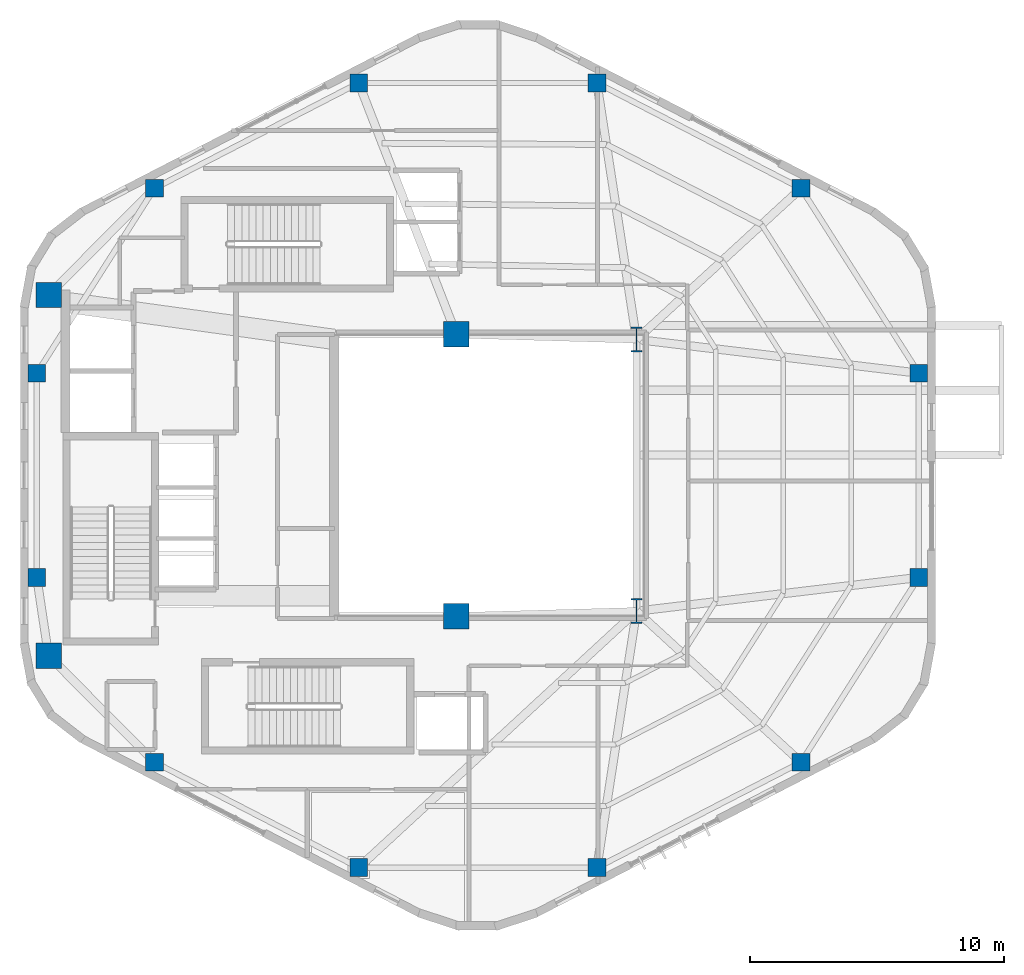
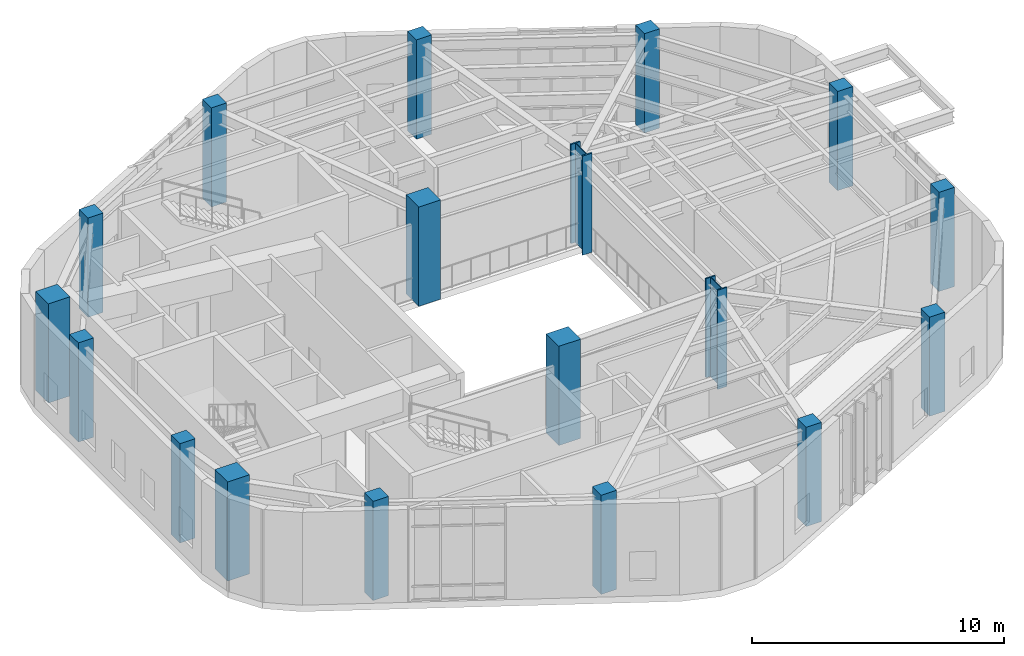
# One storey, part 1 of 18: 18 columns.
"""IFC4 building model written with IfcOpenShell, lengths in metres."""

from ifc_helpers import new_model, si_unit, direction, frame, origin, origin_2d, place, context, subcontext, project, spatial, rectangle, i_section, extrude, material, material_profile, profile_set, type_object, element, save


model = new_model("IFC4")

# Units and contexts
model_context = context("Model", 3, precision=1e-05, world=origin(), true_north=direction((0.0, 1.0)))
body_context = subcontext(model_context, "Body", "Model", "MODEL_VIEW")
ifc_project = project(units=[si_unit("LENGTHUNIT", "METRE"), si_unit("AREAUNIT", "SQUARE_METRE"), si_unit("VOLUMEUNIT", "CUBIC_METRE"), si_unit("PLANEANGLEUNIT", "RADIAN"), si_unit("MASSUNIT", "GRAM", prefix="KILO"), si_unit("THERMODYNAMICTEMPERATUREUNIT", "KELVIN"), si_unit("POWERUNIT", "WATT")], contexts=[model_context])

# Site, building, storey
site_placement = place(None, origin())
site = spatial("IfcSite", under=ifc_project, at=site_placement, CompositionType="ELEMENT")
building_placement = place(site_placement, origin())
building = spatial("IfcBuilding", under=site, at=building_placement, Name="Skarre Station Tower", CompositionType="ELEMENT")
storey_placement = place(building_placement, frame((0.0, 0.0, 270.300048828125)))
storey = spatial("IfcBuildingStorey", under=building, at=storey_placement, Name="L74", CompositionType="ELEMENT", Elevation=270.300048828125)

# Columns
ifc_material_1 = material(Name="Concrete C60/75", Category="concrete")
ifc_material_profile_1 = material_profile(ifc_material_1, rectangle(XDim=1.0, YDim=1.0, at=origin_2d()), Name="Concrete C60/75")
ifc_profile_set_1 = profile_set([ifc_material_profile_1], Name="Concrete C60/75")
column_type_1 = type_object("IfcColumnType", Name="RC Structural Column RC-COL-1000X1000", PredefinedType="COLUMN", material=ifc_profile_set_1)
for number, where, z_axis, x_axis, name in (
    (1, (16.300048828125, 16.89990234375, 0.0), (0.0, 0.0, 1.0), (1.0, 0.0, 0.0), "L74 Core Column CC-SW"),
    (2, (16.300048828125, 31.10009765625, 0.0), (0.0, 0.0, 1.0), (1.0, 0.0, 0.0), "L74 Core Column CC-NW"),
    (3, (32.35009765625, 18.449951171875, 0.0), (0.0, 0.0, 1.0), (1.0, 0.0, 0.0), "L74 Core Column CC-SE"),
    (4, (32.35009765625, 29.550048828125, 0.0), (0.0, 0.0, 1.0), (1.0, 0.0, 0.0), "L74 Core Column CC-NE"),
):
    element("IfcColumn", number, at=place(storey_placement, frame(where, z_axis=z_axis, x_axis=x_axis)), inside=storey, type_object=column_type_1, Name=name, PredefinedType="COLUMN", context=body_context, shape_type="SweptSolid", body=[
        extrude(rectangle(XDim=1.0, YDim=1.0, at=origin_2d()), origin(), (0.0, 0.0, 1.0), 4.800048828125),
    ])
ifc_material_2 = material(Name="Concrete C50/60", Category="concrete")
ifc_material_profile_2 = material_profile(ifc_material_2, rectangle(XDim=0.699951171875, YDim=0.699951171875, at=origin_2d()), Name="Concrete C50/60")
ifc_profile_set_2 = profile_set([ifc_material_profile_2], Name="Concrete C50/60")
column_type_2 = type_object("IfcColumnType", Name="RC Structural Column RC-COL-700X700", PredefinedType="COLUMN", material=ifc_profile_set_2)
for number, where, z_axis, x_axis, name in (
    (5, (45.927001953125, 35.298095703125, 0.0), (0.0, 0.0, 1.0), (1.0, 0.0, 0.0), "L74 Zone 4 Perimeter Column F0C1"),
    (6, (37.888916015625, 39.447021484375, 0.0), (0.0, 0.0, 1.0), (1.0, 0.0, 0.0), "L74 Zone 4 Perimeter Column F0C2"),
    (7, (28.510986328125, 39.447021484375, 0.0), (0.0, 0.0, 1.0), (1.0, 0.0, 0.0), "L74 Zone 4 Perimeter Column F1C1"),
    (8, (20.472900390625, 35.298095703125, 0.0), (0.0, 0.0, 1.0), (1.0, 0.0, 0.0), "L74 Zone 4 Perimeter Column F1C2"),
    (9, (15.8369140625, 28.02099609375, 0.0), (0.0, 0.0, 1.0), (1.0, 0.0, 0.0), "L74 Zone 4 Perimeter Column F2C1"),
    (10, (15.8369140625, 19.97900390625, 0.0), (0.0, 0.0, 1.0), (1.0, 0.0, 0.0), "L74 Zone 4 Perimeter Column F2C2"),
    (11, (20.472900390625, 12.701904296875, 0.0), (0.0, 0.0, 1.0), (1.0, 0.0, 0.0), "L74 Zone 4 Perimeter Column F3C1"),
    (12, (28.510986328125, 8.552978515625, 0.0), (0.0, 0.0, 1.0), (1.0, 0.0, 0.0), "L74 Zone 4 Perimeter Column F3C2"),
    (13, (37.888916015625, 8.552978515625, 0.0), (0.0, 0.0, 1.0), (1.0, 0.0, 0.0), "L74 Zone 4 Perimeter Column F4C1"),
    (14, (45.927001953125, 12.701904296875, 0.0), (0.0, 0.0, 1.0), (1.0, 0.0, 0.0), "L74 Zone 4 Perimeter Column F4C2"),
    (15, (50.56298828125, 19.97900390625, 0.0), (0.0, 0.0, 1.0), (1.0, 0.0, 0.0), "L74 Zone 4 Perimeter Column F5C1"),
    (16, (50.56298828125, 28.02099609375, 0.0), (0.0, 0.0, 1.0), (1.0, 0.0, 0.0), "L74 Zone 4 Perimeter Column F5C2"),
):
    element("IfcColumn", number, at=place(storey_placement, frame(where, z_axis=z_axis, x_axis=x_axis)), inside=storey, type_object=column_type_2, Name=name, PredefinedType="COLUMN", context=body_context, shape_type="SweptSolid", body=[
        extrude(rectangle(XDim=0.699951171875, YDim=0.699951171875, at=origin_2d()), origin(), (0.0, 0.0, 1.0), 4.800048828125),
    ])
ifc_material_3 = material(Name="Steel ASTM A913 Grade 65", Category="steel")
ifc_material_profile_3 = material_profile(ifc_material_3, i_section(OverallWidth=0.430908203125, OverallDepth=0.987060546875, WebThickness=0.033935546875, FlangeThickness=0.06201171875, at=origin_2d()), Name="Steel ASTM A913 Grade 65")
ifc_profile_set_3 = profile_set([ifc_material_profile_3], Name="Steel ASTM A913 Grade 65")
column_type_3 = type_object("IfcColumnType", Name="Steel Column W36X441", PredefinedType="COLUMN", material=ifc_profile_set_3)
for number, where, z_axis, x_axis, name in (
    (17, (39.449951171875, 18.64990234375, 0.0), (0.0, 0.0, 1.0), (1.0, 0.0, 0.0), "L74 Atrium Spine Column AC-SE"),
    (18, (39.449951171875, 29.35009765625, 0.0), (0.0, 0.0, 1.0), (1.0, 0.0, 0.0), "L74 Atrium Spine Column AC-NE"),
):
    element("IfcColumn", number, at=place(storey_placement, frame(where, z_axis=z_axis, x_axis=x_axis)), inside=storey, type_object=column_type_3, Name=name, PredefinedType="COLUMN", context=body_context, shape_type="SweptSolid", body=[
        extrude(i_section(OverallWidth=0.430908203125, OverallDepth=0.987060546875, WebThickness=0.033935546875, FlangeThickness=0.06201171875, at=origin_2d()), origin(), (0.0, 0.0, 1.0), 4.800048828125),
    ])

save(model, "model.ifc")
